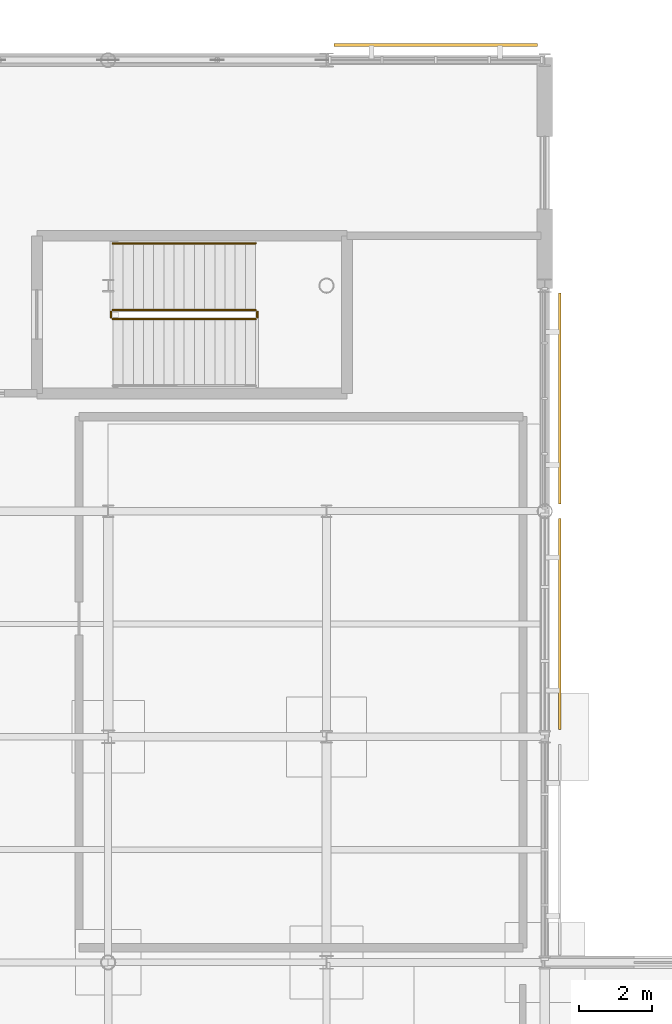
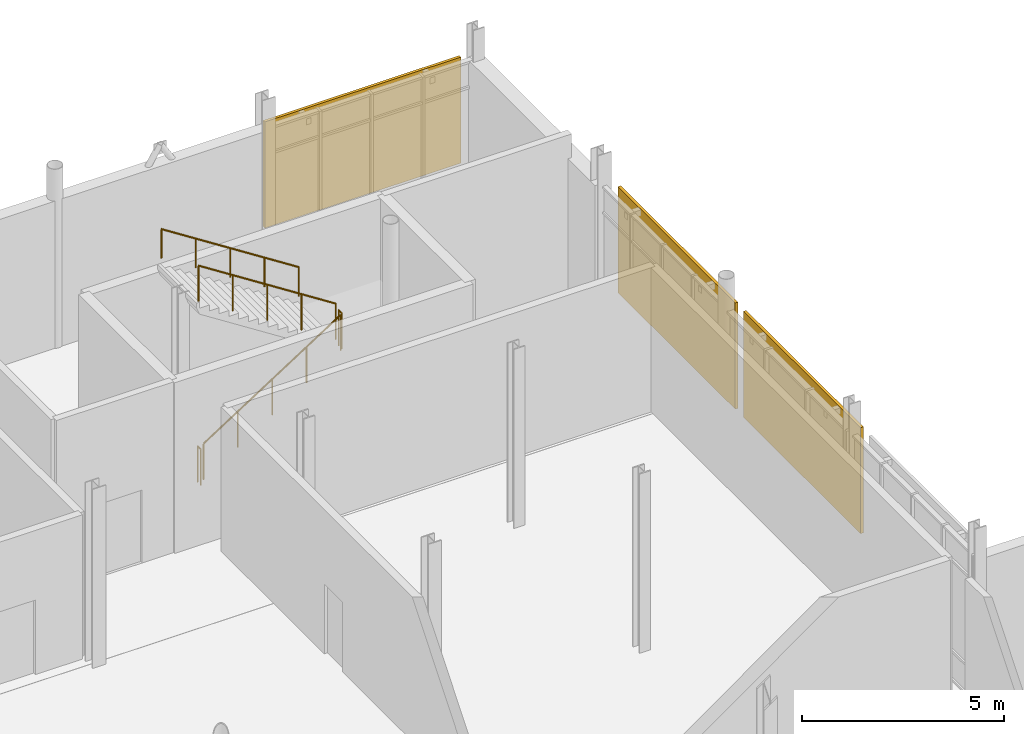
# One storey, part 97 of 98: 5 railings, 3 shading devices.
"""IFC4 building model written with IfcOpenShell, lengths in metres."""

import ifcopenshell
import ifcopenshell.guid

model = None  # the IFC model being written
_history = None  # IfcOwnerHistory: only IFC2X3 demands one
_inside = {}  # id of a spatial element -> (the spatial element, [elements in it])
_under = {}  # id of a project, library or spatial element -> (it, [spatial elements below it])
_declared = {}  # id of a project -> (the project, [libraries it declares])
_typed = {}  # id of a type object -> (the type object, [elements of that type])
_made_of = {}  # id of a material, layer set ... -> (it, [elements and type objects made of it])


def new_model(schema):
    """Start an empty IFC model of exactly this schema.

    Asked for "IFC4X3", IfcOpenShell would pick the latest addendum, in which some entities
    have other attributes; the version numbers below select the first issue.
    IFC2X3 requires an IfcOwnerHistory on every rooted entity: one is made here for all.
    """
    global model, _history
    if schema == "IFC4X3":
        model = ifcopenshell.file(schema_version=(4, 3, 0, 0))
    else:
        model = ifcopenshell.file(schema=schema)
    _inside.clear()
    _under.clear()
    _declared.clear()
    _typed.clear()
    _made_of.clear()
    _history = None
    if model.schema == "IFC2X3":
        org = make("IfcOrganization", Name="unknown")
        user = make(
            "IfcPersonAndOrganization",
            ThePerson=make("IfcPerson", FamilyName="unknown"),
            TheOrganization=org,
        )
        app = make(
            "IfcApplication",
            ApplicationDeveloper=org,
            Version="unknown",
            ApplicationFullName="unknown",
            ApplicationIdentifier="unknown",
        )
        _history = make(
            "IfcOwnerHistory",
            OwningUser=user,
            OwningApplication=app,
            ChangeAction="ADDED",
            CreationDate=0,
        )
    return model


def make(cls, **values):
    """One entity of the class cls with the attributes given. An attribute that is None is left unset."""
    return model.create_entity(
        cls, **{name: value for name, value in values.items() if value is not None}
    )


def rooted(cls, **values):
    """An entity with a GlobalId (a new one), such as an element, a storey or a relation."""
    return make(cls, GlobalId=ifcopenshell.guid.new(), OwnerHistory=_history, **values)


def si_unit(unit_type, name, prefix=None):
    """IfcSIUnit, for example si_unit("LENGTHUNIT", "METRE", prefix="MILLI")."""
    return make("IfcSIUnit", UnitType=unit_type, Prefix=prefix, Name=name)


def assignment(units):
    """IfcUnitAssignment: the units of a project."""
    return None if units is None else make("IfcUnitAssignment", Units=units)


def point(xyz):
    """IfcCartesianPoint."""
    return None if xyz is None else make("IfcCartesianPoint", Coordinates=xyz)


def direction(xyz):
    """IfcDirection."""
    return None if xyz is None else make("IfcDirection", DirectionRatios=xyz)


def frame(location, z_axis=None, x_axis=None):
    """IfcAxis2Placement3D, a coordinate frame: its origin and axes. An axis left out is left unset."""
    return make(
        "IfcAxis2Placement3D",
        Location=point(location),
        Axis=direction(z_axis),
        RefDirection=direction(x_axis),
    )


def frame_2d(location, x_axis=None):
    """IfcAxis2Placement2D, a coordinate frame in the plane: its origin and x axis."""
    return make(
        "IfcAxis2Placement2D", Location=point(location), RefDirection=direction(x_axis)
    )


def origin():
    """The frame at (0, 0, 0) with its axes left unset."""
    return frame((0.0, 0.0, 0.0))


def origin_2d():
    """The frame at (0, 0) in the plane with its x axis left unset."""
    return frame_2d((0.0, 0.0))


def place(relative_to, where):
    """IfcLocalPlacement: puts the frame where relative to a parent placement (None: the world)."""
    return make(
        "IfcLocalPlacement", PlacementRelTo=relative_to, RelativePlacement=where
    )


def context(
    kind, dimensions, precision=None, world=None, true_north=None, identifier=None
):
    """IfcGeometricRepresentationContext, for example the 3D "Model" context."""
    return make(
        "IfcGeometricRepresentationContext",
        ContextIdentifier=identifier,
        ContextType=kind,
        CoordinateSpaceDimension=dimensions,
        Precision=precision,
        WorldCoordinateSystem=world,
        TrueNorth=true_north,
    )


def subcontext(parent, identifier, kind, view, scale=None):
    """IfcGeometricRepresentationSubContext, for example "Body" below "Model"."""
    return make(
        "IfcGeometricRepresentationSubContext",
        ContextIdentifier=identifier,
        ContextType=kind,
        ParentContext=parent,
        TargetScale=scale,
        TargetView=view,
    )


def project(units=None, contexts=None):
    """IfcProject with its units and contexts."""
    return rooted(
        "IfcProject",
        Name="project",
        RepresentationContexts=contexts,
        UnitsInContext=assignment(units),
    )


def spatial(cls, under=None, at=None, **own):
    """A site, building, storey or space (cls), placed at a placement, below another one or the project."""
    s = rooted(cls, ObjectPlacement=at, **own)
    if under is not None:
        _under.setdefault(under.id(), (under, []))[1].append(s)
    return s


def profile(cls, at=None, kind="AREA", **sizes):
    """A parametric profile (cls). Its sizes go by their IFC names, for example OverallWidth=200.0."""
    return make(cls, ProfileType=kind, Position=at, **sizes)


def rectangle(**sizes):
    """IfcRectangleProfileDef."""
    return profile("IfcRectangleProfileDef", **sizes)


def circle(**sizes):
    """IfcCircleProfileDef."""
    return profile("IfcCircleProfileDef", **sizes)


def extrude(swept, where, along, depth):
    """IfcExtrudedAreaSolid: the profile swept, set in the frame where, extruded along a direction by depth."""
    return make(
        "IfcExtrudedAreaSolid",
        SweptArea=swept,
        Position=where,
        ExtrudedDirection=direction(along),
        Depth=depth,
    )


def shape(context_of_items, identifier, shape_type, items):
    """IfcShapeRepresentation: the items that make up one representation, for example the "Body"."""
    return make(
        "IfcShapeRepresentation",
        ContextOfItems=context_of_items,
        RepresentationIdentifier=identifier,
        RepresentationType=shape_type,
        Items=items,
    )


def material(Name=None, Category=None):
    """IfcMaterial."""
    return make("IfcMaterial", Name=Name, Category=Category)


def layer(
    of_material, thickness, ventilated=None, Name=None, Category=None, Priority=None
):
    """IfcMaterialLayer: one layer of a wall or slab, of a material (None: an air gap)."""
    return make(
        "IfcMaterialLayer",
        Material=of_material,
        LayerThickness=thickness,
        IsVentilated=ventilated,
        Name=Name,
        Category=Category,
        Priority=Priority,
    )


def layer_set(layers, Name=None):
    """IfcMaterialLayerSet."""
    return make("IfcMaterialLayerSet", MaterialLayers=layers, LayerSetName=Name)


def made_of(thing, what):
    """Note that an element or type object is made of a material, layer set ...; save() writes the relation."""
    if what is not None:
        _made_of.setdefault(what.id(), (what, []))[1].append(thing)
    return thing


def type_object(cls, material=None, **own):
    """A type object (cls), such as IfcWallType, which elements share."""
    return made_of(rooted(cls, **own), material)


def element(
    cls,
    number,
    at=None,
    inside=None,
    cuts=None,
    type_object=None,
    material=None,
    context=None,
    identifier="Body",
    shape_type=None,
    held_by="IfcProductDefinitionShape",
    body=None,
    shapes=None,
    **own,
):
    """One element of the class cls, such as IfcWall. Its Tag is "e" and its number.

    at: its placement. inside: the storey or other place that contains it. cuts: it is an
    opening in that element (IfcRelVoidsElement). A single representation is given by context,
    identifier, shape_type and body (its items); several are given by shapes. held_by: the class
    of the entity that holds the representations. save() writes the other relations.
    """
    e = rooted(cls, Tag="e%d" % number, ObjectPlacement=at, **own)
    if body is not None:
        shapes = [shape(context, identifier, shape_type, body)]
    if shapes is not None:
        e.Representation = make(held_by, Representations=shapes)
    if inside is not None:
        _inside.setdefault(inside.id(), (inside, []))[1].append(e)
    if cuts is not None:
        rooted(
            "IfcRelVoidsElement", RelatingBuildingElement=cuts, RelatedOpeningElement=e
        )
    if type_object is not None:
        _typed.setdefault(type_object.id(), (type_object, []))[1].append(e)
    return made_of(e, material)


def aggregate(whole, parts):
    """IfcRelAggregates: a whole, such as a stair, and the parts it consists of."""
    return rooted("IfcRelAggregates", RelatingObject=whole, RelatedObjects=parts)


def save(model, path):
    """Write the relations noted so far, then the file.

    IfcRelAggregates (storeys below a building ...), IfcRelContainedInSpatialStructure (elements
    in a storey), IfcRelDefinesByType, IfcRelAssociatesMaterial and IfcRelDeclares: one each for
    every whole, place, type object, material and project.
    """
    for whole, parts in _under.values():
        aggregate(whole, parts)
    for where, things in _inside.values():
        rooted(
            "IfcRelContainedInSpatialStructure",
            RelatedElements=things,
            RelatingStructure=where,
        )
    for kind, things in _typed.values():
        rooted("IfcRelDefinesByType", RelatedObjects=things, RelatingType=kind)
    for what, things in _made_of.values():
        rooted("IfcRelAssociatesMaterial", RelatedObjects=things, RelatingMaterial=what)
    for by, libraries in _declared.values():
        rooted("IfcRelDeclares", RelatingContext=by, RelatedDefinitions=libraries)
    model.write(path)


model = new_model("IFC4")

# Units and contexts
model_context = context("Model", 3, precision=1e-05, world=origin(), true_north=direction((0.0, 1.0)))
body_context = subcontext(model_context, "Body", "Model", "MODEL_VIEW")
ifc_project = project(units=[si_unit("LENGTHUNIT", "METRE"), si_unit("AREAUNIT", "SQUARE_METRE"), si_unit("VOLUMEUNIT", "CUBIC_METRE"), si_unit("PLANEANGLEUNIT", "RADIAN"), si_unit("MASSUNIT", "GRAM", prefix="KILO")], contexts=[model_context])

# Site, building, storey
site_placement = place(None, origin())
site = spatial("IfcSite", under=ifc_project, at=site_placement, CompositionType="ELEMENT")
building_placement = place(site_placement, origin())
building = spatial("IfcBuilding", under=site, at=building_placement, Name="Mirzam Square Science Centre", CompositionType="ELEMENT")
storey_placement = place(building_placement, origin())
storey = spatial("IfcBuildingStorey", under=building, at=storey_placement, Name="L00", CompositionType="ELEMENT", Elevation=0.0)

# Railings
ifc_material_1 = material(Name="Bronze-Anodised Architectural Balustrade", Category="aluminium")
railing_type_1 = type_object("IfcRailingType", Name="RL-INT-GUARD-1100", PredefinedType="GUARDRAIL", material=ifc_material_1)
railing_1_placement = place(storey_placement, frame((126.1298828125, 104.47998046875, 0.179931640625)))
element("IfcRailing", 1, at=railing_1_placement, inside=storey, type_object=railing_type_1, Name="L00 ST-11 stair guard 1", PredefinedType="GUARDRAIL", context=body_context, shape_type="SweptSolid", body=[
    extrude(circle(Radius=0.02392578125, at=origin_2d()), frame((0.0, 0.0, 1.076171875), z_axis=(0.841186985886, 0.0, 0.540744352514), x_axis=(0.0, 1.0, 0.0)), (0.0, 0.0, 1.0), 4.660400390625),
    extrude(circle(Radius=0.02099609375, at=origin_2d()), origin(), (0.0, 0.0, 1.0), 1.052001953125),
    extrude(circle(Radius=0.02099609375, at=origin_2d()), frame((0.97998046875, 0.0, 0.6298828125)), (0.0, 0.0, 1.0), 1.052001953125),
    extrude(circle(Radius=0.02099609375, at=origin_2d()), frame((1.9599609375, 0.0, 1.260009765625)), (0.0, 0.0, 1.0), 1.052001953125),
    extrude(circle(Radius=0.02099609375, at=origin_2d()), frame((2.940185546875, 0.0, 1.89013671875)), (0.0, 0.0, 1.0), 1.052001953125),
    extrude(circle(Radius=0.02099609375, at=origin_2d()), frame((3.920166015625, 0.0, 2.52001953125)), (0.0, 0.0, 1.0), 1.052001953125),
])
railing_2_placement = place(storey_placement, frame((130.10009765625, 104.530029296875, 2.699951171875)))
element("IfcRailing", 2, at=railing_2_placement, inside=storey, type_object=railing_type_1, Name="L00 ST-11 stair guard 2", PredefinedType="GUARDRAIL", context=body_context, shape_type="SweptSolid", body=[
    extrude(circle(Radius=0.02392578125, at=origin_2d()), frame((0.0, 0.0, 1.076171875), z_axis=(0.0, 1.0, 0.0), x_axis=(-1.0, 0.0, 0.0)), (0.0, 0.0, 1.0), 0.14990234375),
    extrude(circle(Radius=0.02099609375, at=origin_2d()), origin(), (0.0, 0.0, 1.0), 1.052001953125),
    extrude(circle(Radius=0.02099609375, at=origin_2d()), frame((0.0, 0.14990234375, 0.0)), (0.0, 0.0, 1.0), 1.052001953125),
])
railing_3_placement = place(storey_placement, frame((130.050048828125, 104.72998046875, 2.8798828125)))
element("IfcRailing", 3, at=railing_3_placement, inside=storey, type_object=railing_type_1, Name="L00 ST-11 stair guard 3", PredefinedType="GUARDRAIL", context=body_context, shape_type="SweptSolid", body=[
    extrude(circle(Radius=0.02392578125, at=origin_2d()), frame((0.0, 0.0, 1.076171875), z_axis=(-0.841186985886, 0.0, 0.540744352514), x_axis=(0.0, -1.0, 0.0)), (0.0, 0.0, 1.0), 4.660400390625),
    extrude(circle(Radius=0.02099609375, at=origin_2d()), origin(), (0.0, 0.0, 1.0), 1.052001953125),
    extrude(circle(Radius=0.02099609375, at=origin_2d()), frame((-0.97998046875, 0.0, 0.6298828125)), (0.0, 0.0, 1.0), 1.052001953125),
    extrude(circle(Radius=0.02099609375, at=origin_2d()), frame((-1.9599609375, 0.0, 1.260009765625)), (0.0, 0.0, 1.0), 1.052001953125),
    extrude(circle(Radius=0.02099609375, at=origin_2d()), frame((-2.940185546875, 0.0, 1.89013671875)), (0.0, 0.0, 1.0), 1.052001953125),
    extrude(circle(Radius=0.02099609375, at=origin_2d()), frame((-3.920166015625, 0.0, 2.52001953125)), (0.0, 0.0, 1.0), 1.052001953125),
])
railing_4_placement = place(storey_placement, frame((126.080078125, 104.530029296875, 0.0)))
element("IfcRailing", 4, at=railing_4_placement, inside=storey, type_object=railing_type_1, Name="L00 ST-11 stair guard 4", PredefinedType="GUARDRAIL", context=body_context, shape_type="SweptSolid", body=[
    extrude(circle(Radius=0.02392578125, at=origin_2d()), frame((0.0, 0.0, 1.076171875), z_axis=(0.0, 1.0, 0.0), x_axis=(-1.0, 0.0, 0.0)), (0.0, 0.0, 1.0), 0.14990234375),
    extrude(circle(Radius=0.02099609375, at=origin_2d()), origin(), (0.0, 0.0, 1.0), 1.052001953125),
    extrude(circle(Radius=0.02099609375, at=origin_2d()), frame((0.0, 0.14990234375, 0.0)), (0.0, 0.0, 1.0), 1.052001953125),
])
ifc_material_2 = material(Name="Brushed Bronze Tubular Handrail", Category="aluminium")
railing_type_2 = type_object("IfcRailingType", Name="RL-STAIR-HANDRAIL-900", PredefinedType="HANDRAIL", material=ifc_material_2)
railing_5_placement = place(storey_placement, frame((130.050048828125, 106.56005859375, 3.072021484375)))
element("IfcRailing", 5, at=railing_5_placement, inside=storey, type_object=railing_type_2, Name="L00 ST-11 stair handrail 2", PredefinedType="HANDRAIL", context=body_context, shape_type="SweptSolid", body=[
    extrude(circle(Radius=0.02392578125, at=origin_2d()), frame((0.0, 0.0, 0.8759765625), z_axis=(-0.841186985886, 0.0, 0.540744352514), x_axis=(0.0, -1.0, 0.0)), (0.0, 0.0, 1.0), 4.660400390625),
    extrude(circle(Radius=0.02099609375, at=origin_2d()), origin(), (0.0, 0.0, 1.0), 0.851806640625),
    extrude(circle(Radius=0.02099609375, at=origin_2d()), frame((-0.97998046875, 0.0, 0.6298828125)), (0.0, 0.0, 1.0), 0.851806640625),
    extrude(circle(Radius=0.02099609375, at=origin_2d()), frame((-1.9599609375, 0.0, 1.260009765625)), (0.0, 0.0, 1.0), 0.851806640625),
    extrude(circle(Radius=0.02099609375, at=origin_2d()), frame((-2.940185546875, 0.0, 1.89013671875)), (0.0, 0.0, 1.0), 0.851806640625),
    extrude(circle(Radius=0.02099609375, at=origin_2d()), frame((-3.920166015625, 0.0, 2.52001953125)), (0.0, 0.0, 1.0), 0.851806640625),
])

# Shading devices
ifc_material_3 = material(Name="Perforated Bronze-Anodised Aluminium Brise-Soleil", Category="aluminium")
ifc_layer = layer(ifc_material_3, 0.080078125)
ifc_layer_set = layer_set([ifc_layer], Name="SHD-BRISE-BRONZE")
shading_device_type = type_object("IfcShadingDeviceType", Name="SHD-BRISE-BRONZE", PredefinedType="JALOUSIE", material=ifc_layer_set)
shading_device_placement = place(storey_placement, frame((135.0, 112.010009765625, 1.08984375), z_axis=(0.0, 0.0, 1.0), x_axis=(-1.0, 0.0, 0.0)))
element("IfcShadingDevice", 6, at=shading_device_placement, inside=storey, type_object=shading_device_type, Name="L00 bronze brise-soleil screen 64", PredefinedType="JALOUSIE", context=body_context, shape_type="SweptSolid", body=[
    extrude(rectangle(XDim=5.590087890625, YDim=0.080078125, at=origin_2d()), origin(), (0.0, 0.0, 1.0), 3.199951171875),
])
for number, where, z_axis, x_axis, name in (
    (7, (138.409912109375, 96.10009765625, 1.08984375), (0.0, 0.0, 1.0), (0.0, 1.0, 0.0), "L00 bronze brise-soleil screen 67"),
    (8, (138.409912109375, 102.300048828125, 1.08984375), (0.0, 0.0, 1.0), (0.0, 1.0, 0.0), "L00 bronze brise-soleil screen 69"),
):
    element("IfcShadingDevice", number, at=place(storey_placement, frame(where, z_axis=z_axis, x_axis=x_axis)), inside=storey, type_object=shading_device_type, Name=name, PredefinedType="JALOUSIE", context=body_context, shape_type="SweptSolid", body=[
        extrude(rectangle(XDim=5.7900390625, YDim=0.080078125, at=origin_2d()), origin(), (0.0, 0.0, 1.0), 3.199951171875),
    ])

save(model, "model.ifc")
